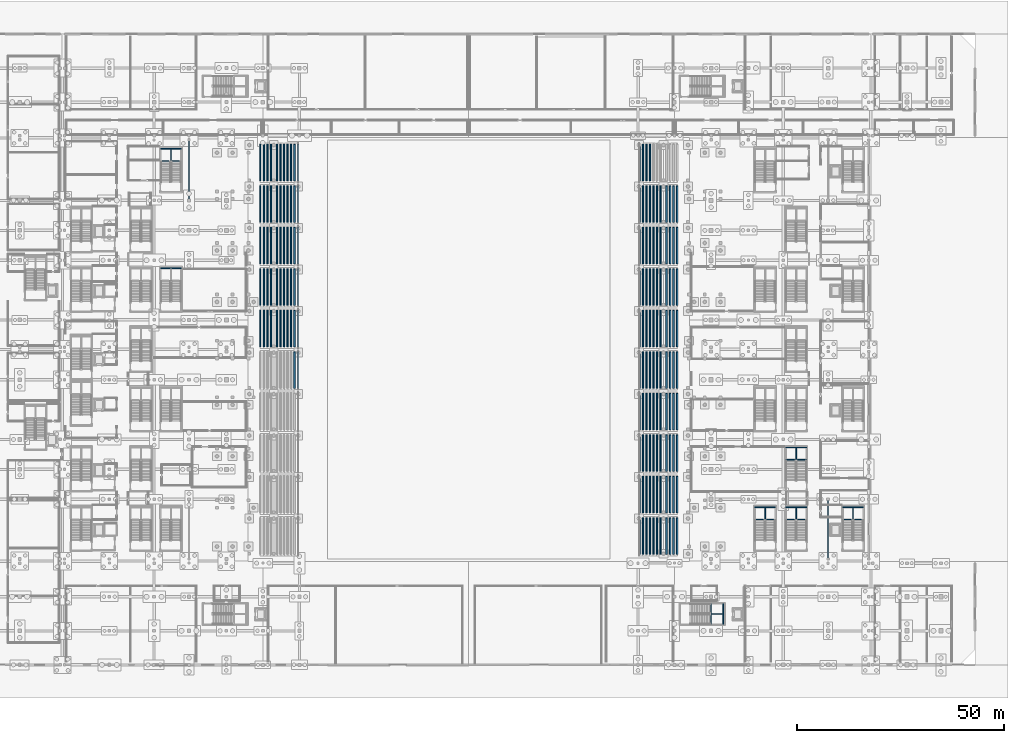
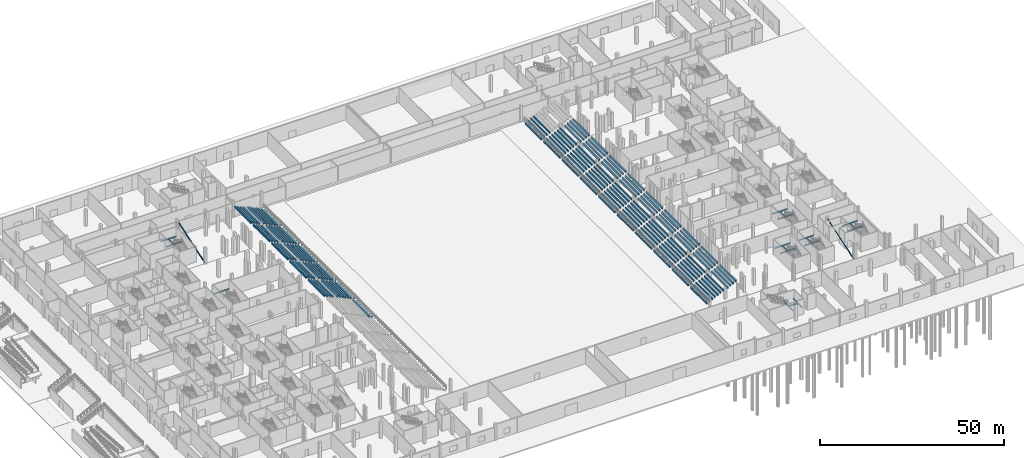
# One storey, part 21 of 89: 179 beams, 2 members.
"""IFC4 building model written with IfcOpenShell, lengths in metres."""

from ifc_helpers import new_model, si_unit, direction, frame, origin, origin_2d, place, context, subcontext, project, spatial, rectangle, hollow_circle, i_section, extrude, material, material_profile, profile_set, type_object, element, save


model = new_model("IFC4")

# Units and contexts
model_context = context("Model", 3, precision=1e-05, world=origin(), true_north=direction((0.0, 1.0)))
body_context = subcontext(model_context, "Body", "Model", "MODEL_VIEW")
ifc_project = project(units=[si_unit("LENGTHUNIT", "METRE"), si_unit("AREAUNIT", "SQUARE_METRE"), si_unit("VOLUMEUNIT", "CUBIC_METRE"), si_unit("PLANEANGLEUNIT", "RADIAN"), si_unit("MASSUNIT", "GRAM", prefix="KILO")], contexts=[model_context])

# Site, building, storey
site_placement = place(None, origin())
site = spatial("IfcSite", under=ifc_project, at=site_placement, CompositionType="ELEMENT")
building_placement = place(site_placement, origin())
building = spatial("IfcBuilding", under=site, at=building_placement, Name="Koshinbarg Plaza Stadium", CompositionType="ELEMENT")
storey_placement = place(building_placement, origin())
storey = spatial("IfcBuildingStorey", under=building, at=storey_placement, Name="L00", CompositionType="ELEMENT", Elevation=0.0)

# Beams
ifc_material_1 = material(Name="Concrete C40/50", Category="concrete")
ifc_material_profile_1 = material_profile(ifc_material_1, rectangle(XDim=0.35009765625, YDim=0.60009765625, at=origin_2d()), Name="RC 350x600")
ifc_profile_set_1 = profile_set([ifc_material_profile_1], Name="Concrete C40/50")
beam_type_1 = type_object("IfcBeamType", Name="BM-RCG-01", PredefinedType="SPANDREL", material=ifc_profile_set_1)
for number, where, z_axis, x_axis, name in (
    (1, (80.8798828125, 66.60009765625, 0.5), (0.0, 1.0, 0.0), (-1.0, 0.0, 0.0), "Lower tier seat bearer LT-W05-R01"),
    (2, (80.030029296875, 66.60009765625, 0.919921875), (0.0, 1.0, 0.0), (-1.0, 0.0, 0.0), "Lower tier seat bearer LT-W05-R02"),
    (3, (80.8798828125, 76.60009765625, 0.5), (0.0, 1.0, 0.0), (-1.0, 0.0, 0.0), "Lower tier seat bearer LT-W06-R01"),
    (4, (80.030029296875, 76.60009765625, 0.919921875), (0.0, 1.0, 0.0), (-1.0, 0.0, 0.0), "Lower tier seat bearer LT-W06-R02"),
    (5, (79.179931640625, 76.60009765625, 1.340087890625), (0.0, 1.0, 0.0), (-1.0, 0.0, 0.0), "Lower tier seat bearer LT-W06-R03"),
    (6, (78.330078125, 76.60009765625, 1.760009765625), (0.0, 1.0, 0.0), (-1.0, 0.0, 0.0), "Lower tier seat bearer LT-W06-R04"),
    (7, (77.47998046875, 76.60009765625, 2.179931640625), (0.0, 1.0, 0.0), (-1.0, 0.0, 0.0), "Lower tier seat bearer LT-W06-R05"),
    (8, (76.6298828125, 76.60009765625, 2.60009765625), (0.0, 1.0, 0.0), (-1.0, 0.0, 0.0), "Lower tier seat bearer LT-W06-R06"),
    (9, (75.780029296875, 76.60009765625, 3.02001953125), (0.0, 1.0, 0.0), (-1.0, 0.0, 0.0), "Lower tier seat bearer LT-W06-R07"),
    (10, (74.320068359375, 76.60009765625, 3.43994140625), (0.0, 1.0, 0.0), (-1.0, 0.0, 0.0), "Lower tier seat bearer LT-W06-R08"),
    (11, (73.469970703125, 76.60009765625, 3.860107421875), (0.0, 1.0, 0.0), (-1.0, 0.0, 0.0), "Lower tier seat bearer LT-W06-R09"),
    (12, (72.6201171875, 76.60009765625, 4.280029296875), (0.0, 1.0, 0.0), (-1.0, 0.0, 0.0), "Lower tier seat bearer LT-W06-R10"),
    (13, (71.77001953125, 76.60009765625, 4.699951171875), (0.0, 1.0, 0.0), (-1.0, 0.0, 0.0), "Lower tier seat bearer LT-W06-R11"),
    (14, (80.8798828125, 86.60009765625, 0.5), (0.0, 1.0, 0.0), (-1.0, 0.0, 0.0), "Lower tier seat bearer LT-W07-R01"),
    (15, (80.030029296875, 86.60009765625, 0.919921875), (0.0, 1.0, 0.0), (-1.0, 0.0, 0.0), "Lower tier seat bearer LT-W07-R02"),
    (16, (79.179931640625, 86.60009765625, 1.340087890625), (0.0, 1.0, 0.0), (-1.0, 0.0, 0.0), "Lower tier seat bearer LT-W07-R03"),
    (17, (78.330078125, 86.60009765625, 1.760009765625), (0.0, 1.0, 0.0), (-1.0, 0.0, 0.0), "Lower tier seat bearer LT-W07-R04"),
    (18, (77.47998046875, 86.60009765625, 2.179931640625), (0.0, 1.0, 0.0), (-1.0, 0.0, 0.0), "Lower tier seat bearer LT-W07-R05"),
    (19, (76.6298828125, 86.60009765625, 2.60009765625), (0.0, 1.0, 0.0), (-1.0, 0.0, 0.0), "Lower tier seat bearer LT-W07-R06"),
    (20, (75.780029296875, 86.60009765625, 3.02001953125), (0.0, 1.0, 0.0), (-1.0, 0.0, 0.0), "Lower tier seat bearer LT-W07-R07"),
    (21, (74.320068359375, 86.60009765625, 3.43994140625), (0.0, 1.0, 0.0), (-1.0, 0.0, 0.0), "Lower tier seat bearer LT-W07-R08"),
    (22, (73.469970703125, 86.60009765625, 3.860107421875), (0.0, 1.0, 0.0), (-1.0, 0.0, 0.0), "Lower tier seat bearer LT-W07-R09"),
    (23, (72.6201171875, 86.60009765625, 4.280029296875), (0.0, 1.0, 0.0), (-1.0, 0.0, 0.0), "Lower tier seat bearer LT-W07-R10"),
    (24, (71.77001953125, 86.60009765625, 4.699951171875), (0.0, 1.0, 0.0), (-1.0, 0.0, 0.0), "Lower tier seat bearer LT-W07-R11"),
    (25, (80.8798828125, 96.60009765625, 0.5), (0.0, 1.0, 0.0), (-1.0, 0.0, 0.0), "Lower tier seat bearer LT-W08-R01"),
    (26, (80.030029296875, 96.60009765625, 0.919921875), (0.0, 1.0, 0.0), (-1.0, 0.0, 0.0), "Lower tier seat bearer LT-W08-R02"),
    (27, (79.179931640625, 96.60009765625, 1.340087890625), (0.0, 1.0, 0.0), (-1.0, 0.0, 0.0), "Lower tier seat bearer LT-W08-R03"),
    (28, (78.330078125, 96.60009765625, 1.760009765625), (0.0, 1.0, 0.0), (-1.0, 0.0, 0.0), "Lower tier seat bearer LT-W08-R04"),
    (29, (77.47998046875, 96.60009765625, 2.179931640625), (0.0, 1.0, 0.0), (-1.0, 0.0, 0.0), "Lower tier seat bearer LT-W08-R05"),
    (30, (76.6298828125, 96.60009765625, 2.60009765625), (0.0, 1.0, 0.0), (-1.0, 0.0, 0.0), "Lower tier seat bearer LT-W08-R06"),
    (31, (75.780029296875, 96.60009765625, 3.02001953125), (0.0, 1.0, 0.0), (-1.0, 0.0, 0.0), "Lower tier seat bearer LT-W08-R07"),
    (32, (74.320068359375, 96.60009765625, 3.43994140625), (0.0, 1.0, 0.0), (-1.0, 0.0, 0.0), "Lower tier seat bearer LT-W08-R08"),
    (33, (73.469970703125, 96.60009765625, 3.860107421875), (0.0, 1.0, 0.0), (-1.0, 0.0, 0.0), "Lower tier seat bearer LT-W08-R09"),
    (34, (72.6201171875, 96.60009765625, 4.280029296875), (0.0, 1.0, 0.0), (-1.0, 0.0, 0.0), "Lower tier seat bearer LT-W08-R10"),
    (35, (71.77001953125, 96.60009765625, 4.699951171875), (0.0, 1.0, 0.0), (-1.0, 0.0, 0.0), "Lower tier seat bearer LT-W08-R11"),
    (36, (80.8798828125, 106.60009765625, 0.5), (0.0, 1.0, 0.0), (-1.0, 0.0, 0.0), "Lower tier seat bearer LT-W09-R01"),
    (37, (80.030029296875, 106.60009765625, 0.919921875), (0.0, 1.0, 0.0), (-1.0, 0.0, 0.0), "Lower tier seat bearer LT-W09-R02"),
    (38, (79.179931640625, 106.60009765625, 1.340087890625), (0.0, 1.0, 0.0), (-1.0, 0.0, 0.0), "Lower tier seat bearer LT-W09-R03"),
    (39, (78.330078125, 106.60009765625, 1.760009765625), (0.0, 1.0, 0.0), (-1.0, 0.0, 0.0), "Lower tier seat bearer LT-W09-R04"),
    (40, (77.47998046875, 106.60009765625, 2.179931640625), (0.0, 1.0, 0.0), (-1.0, 0.0, 0.0), "Lower tier seat bearer LT-W09-R05"),
    (41, (76.6298828125, 106.60009765625, 2.60009765625), (0.0, 1.0, 0.0), (-1.0, 0.0, 0.0), "Lower tier seat bearer LT-W09-R06"),
    (42, (75.780029296875, 106.60009765625, 3.02001953125), (0.0, 1.0, 0.0), (-1.0, 0.0, 0.0), "Lower tier seat bearer LT-W09-R07"),
    (43, (74.320068359375, 106.60009765625, 3.43994140625), (0.0, 1.0, 0.0), (-1.0, 0.0, 0.0), "Lower tier seat bearer LT-W09-R08"),
    (44, (73.469970703125, 106.60009765625, 3.860107421875), (0.0, 1.0, 0.0), (-1.0, 0.0, 0.0), "Lower tier seat bearer LT-W09-R09"),
    (45, (72.6201171875, 106.60009765625, 4.280029296875), (0.0, 1.0, 0.0), (-1.0, 0.0, 0.0), "Lower tier seat bearer LT-W09-R10"),
    (46, (71.77001953125, 106.60009765625, 4.699951171875), (0.0, 1.0, 0.0), (-1.0, 0.0, 0.0), "Lower tier seat bearer LT-W09-R11"),
    (47, (80.8798828125, 116.60009765625, 0.5), (0.0, 1.0, 0.0), (-1.0, 0.0, 0.0), "Lower tier seat bearer LT-W10-R01"),
    (48, (80.030029296875, 116.60009765625, 0.919921875), (0.0, 1.0, 0.0), (-1.0, 0.0, 0.0), "Lower tier seat bearer LT-W10-R02"),
    (49, (79.179931640625, 116.60009765625, 1.340087890625), (0.0, 1.0, 0.0), (-1.0, 0.0, 0.0), "Lower tier seat bearer LT-W10-R03"),
    (50, (78.330078125, 116.60009765625, 1.760009765625), (0.0, 1.0, 0.0), (-1.0, 0.0, 0.0), "Lower tier seat bearer LT-W10-R04"),
    (51, (77.47998046875, 116.60009765625, 2.179931640625), (0.0, 1.0, 0.0), (-1.0, 0.0, 0.0), "Lower tier seat bearer LT-W10-R05"),
    (52, (76.6298828125, 116.60009765625, 2.60009765625), (0.0, 1.0, 0.0), (-1.0, 0.0, 0.0), "Lower tier seat bearer LT-W10-R06"),
    (53, (75.780029296875, 116.60009765625, 3.02001953125), (0.0, 1.0, 0.0), (-1.0, 0.0, 0.0), "Lower tier seat bearer LT-W10-R07"),
    (54, (74.320068359375, 116.60009765625, 3.43994140625), (0.0, 1.0, 0.0), (-1.0, 0.0, 0.0), "Lower tier seat bearer LT-W10-R08"),
    (55, (73.469970703125, 116.60009765625, 3.860107421875), (0.0, 1.0, 0.0), (-1.0, 0.0, 0.0), "Lower tier seat bearer LT-W10-R09"),
    (56, (72.6201171875, 116.60009765625, 4.280029296875), (0.0, 1.0, 0.0), (-1.0, 0.0, 0.0), "Lower tier seat bearer LT-W10-R10"),
    (57, (71.77001953125, 116.60009765625, 4.699951171875), (0.0, 1.0, 0.0), (-1.0, 0.0, 0.0), "Lower tier seat bearer LT-W10-R11"),
    (58, (163.1201171875, 26.60009765625, 0.5), (0.0, 1.0, 0.0), (-1.0, 0.0, 0.0), "Lower tier seat bearer LT-E01-R01"),
    (59, (163.969970703125, 26.60009765625, 0.919921875), (0.0, 1.0, 0.0), (-1.0, 0.0, 0.0), "Lower tier seat bearer LT-E01-R02"),
    (60, (164.820068359375, 26.60009765625, 1.340087890625), (0.0, 1.0, 0.0), (-1.0, 0.0, 0.0), "Lower tier seat bearer LT-E01-R03"),
    (61, (165.669921875, 26.60009765625, 1.760009765625), (0.0, 1.0, 0.0), (-1.0, 0.0, 0.0), "Lower tier seat bearer LT-E01-R04"),
    (62, (166.52001953125, 26.60009765625, 2.179931640625), (0.0, 1.0, 0.0), (-1.0, 0.0, 0.0), "Lower tier seat bearer LT-E01-R05"),
    (63, (167.3701171875, 26.60009765625, 2.60009765625), (0.0, 1.0, 0.0), (-1.0, 0.0, 0.0), "Lower tier seat bearer LT-E01-R06"),
    (64, (168.219970703125, 26.60009765625, 3.02001953125), (0.0, 1.0, 0.0), (-1.0, 0.0, 0.0), "Lower tier seat bearer LT-E01-R07"),
    (65, (169.679931640625, 26.60009765625, 3.43994140625), (0.0, 1.0, 0.0), (-1.0, 0.0, 0.0), "Lower tier seat bearer LT-E01-R08"),
    (66, (170.530029296875, 26.60009765625, 3.860107421875), (0.0, 1.0, 0.0), (-1.0, 0.0, 0.0), "Lower tier seat bearer LT-E01-R09"),
    (67, (171.3798828125, 26.60009765625, 4.280029296875), (0.0, 1.0, 0.0), (-1.0, 0.0, 0.0), "Lower tier seat bearer LT-E01-R10"),
    (68, (172.22998046875, 26.60009765625, 4.699951171875), (0.0, 1.0, 0.0), (-1.0, 0.0, 0.0), "Lower tier seat bearer LT-E01-R11"),
    (69, (163.1201171875, 36.60009765625, 0.5), (0.0, 1.0, 0.0), (-1.0, 0.0, 0.0), "Lower tier seat bearer LT-E02-R01"),
    (70, (163.969970703125, 36.60009765625, 0.919921875), (0.0, 1.0, 0.0), (-1.0, 0.0, 0.0), "Lower tier seat bearer LT-E02-R02"),
    (71, (164.820068359375, 36.60009765625, 1.340087890625), (0.0, 1.0, 0.0), (-1.0, 0.0, 0.0), "Lower tier seat bearer LT-E02-R03"),
    (72, (165.669921875, 36.60009765625, 1.760009765625), (0.0, 1.0, 0.0), (-1.0, 0.0, 0.0), "Lower tier seat bearer LT-E02-R04"),
    (73, (166.52001953125, 36.60009765625, 2.179931640625), (0.0, 1.0, 0.0), (-1.0, 0.0, 0.0), "Lower tier seat bearer LT-E02-R05"),
    (74, (167.3701171875, 36.60009765625, 2.60009765625), (0.0, 1.0, 0.0), (-1.0, 0.0, 0.0), "Lower tier seat bearer LT-E02-R06"),
    (75, (168.219970703125, 36.60009765625, 3.02001953125), (0.0, 1.0, 0.0), (-1.0, 0.0, 0.0), "Lower tier seat bearer LT-E02-R07"),
    (76, (169.679931640625, 36.60009765625, 3.43994140625), (0.0, 1.0, 0.0), (-1.0, 0.0, 0.0), "Lower tier seat bearer LT-E02-R08"),
    (77, (170.530029296875, 36.60009765625, 3.860107421875), (0.0, 1.0, 0.0), (-1.0, 0.0, 0.0), "Lower tier seat bearer LT-E02-R09"),
    (78, (171.3798828125, 36.60009765625, 4.280029296875), (0.0, 1.0, 0.0), (-1.0, 0.0, 0.0), "Lower tier seat bearer LT-E02-R10"),
    (79, (172.22998046875, 36.60009765625, 4.699951171875), (0.0, 1.0, 0.0), (-1.0, 0.0, 0.0), "Lower tier seat bearer LT-E02-R11"),
    (80, (163.1201171875, 46.60009765625, 0.5), (0.0, 1.0, 0.0), (-1.0, 0.0, 0.0), "Lower tier seat bearer LT-E03-R01"),
    (81, (163.969970703125, 46.60009765625, 0.919921875), (0.0, 1.0, 0.0), (-1.0, 0.0, 0.0), "Lower tier seat bearer LT-E03-R02"),
    (82, (164.820068359375, 46.60009765625, 1.340087890625), (0.0, 1.0, 0.0), (-1.0, 0.0, 0.0), "Lower tier seat bearer LT-E03-R03"),
    (83, (165.669921875, 46.60009765625, 1.760009765625), (0.0, 1.0, 0.0), (-1.0, 0.0, 0.0), "Lower tier seat bearer LT-E03-R04"),
    (84, (166.52001953125, 46.60009765625, 2.179931640625), (0.0, 1.0, 0.0), (-1.0, 0.0, 0.0), "Lower tier seat bearer LT-E03-R05"),
    (85, (167.3701171875, 46.60009765625, 2.60009765625), (0.0, 1.0, 0.0), (-1.0, 0.0, 0.0), "Lower tier seat bearer LT-E03-R06"),
    (86, (168.219970703125, 46.60009765625, 3.02001953125), (0.0, 1.0, 0.0), (-1.0, 0.0, 0.0), "Lower tier seat bearer LT-E03-R07"),
    (87, (169.679931640625, 46.60009765625, 3.43994140625), (0.0, 1.0, 0.0), (-1.0, 0.0, 0.0), "Lower tier seat bearer LT-E03-R08"),
    (88, (170.530029296875, 46.60009765625, 3.860107421875), (0.0, 1.0, 0.0), (-1.0, 0.0, 0.0), "Lower tier seat bearer LT-E03-R09"),
    (89, (171.3798828125, 46.60009765625, 4.280029296875), (0.0, 1.0, 0.0), (-1.0, 0.0, 0.0), "Lower tier seat bearer LT-E03-R10"),
    (90, (172.22998046875, 46.60009765625, 4.699951171875), (0.0, 1.0, 0.0), (-1.0, 0.0, 0.0), "Lower tier seat bearer LT-E03-R11"),
    (91, (163.1201171875, 56.60009765625, 0.5), (0.0, 1.0, 0.0), (-1.0, 0.0, 0.0), "Lower tier seat bearer LT-E04-R01"),
    (92, (163.969970703125, 56.60009765625, 0.919921875), (0.0, 1.0, 0.0), (-1.0, 0.0, 0.0), "Lower tier seat bearer LT-E04-R02"),
    (93, (164.820068359375, 56.60009765625, 1.340087890625), (0.0, 1.0, 0.0), (-1.0, 0.0, 0.0), "Lower tier seat bearer LT-E04-R03"),
    (94, (165.669921875, 56.60009765625, 1.760009765625), (0.0, 1.0, 0.0), (-1.0, 0.0, 0.0), "Lower tier seat bearer LT-E04-R04"),
    (95, (166.52001953125, 56.60009765625, 2.179931640625), (0.0, 1.0, 0.0), (-1.0, 0.0, 0.0), "Lower tier seat bearer LT-E04-R05"),
    (96, (167.3701171875, 56.60009765625, 2.60009765625), (0.0, 1.0, 0.0), (-1.0, 0.0, 0.0), "Lower tier seat bearer LT-E04-R06"),
    (97, (168.219970703125, 56.60009765625, 3.02001953125), (0.0, 1.0, 0.0), (-1.0, 0.0, 0.0), "Lower tier seat bearer LT-E04-R07"),
    (98, (169.679931640625, 56.60009765625, 3.43994140625), (0.0, 1.0, 0.0), (-1.0, 0.0, 0.0), "Lower tier seat bearer LT-E04-R08"),
    (99, (170.530029296875, 56.60009765625, 3.860107421875), (0.0, 1.0, 0.0), (-1.0, 0.0, 0.0), "Lower tier seat bearer LT-E04-R09"),
    (100, (171.3798828125, 56.60009765625, 4.280029296875), (0.0, 1.0, 0.0), (-1.0, 0.0, 0.0), "Lower tier seat bearer LT-E04-R10"),
    (101, (172.22998046875, 56.60009765625, 4.699951171875), (0.0, 1.0, 0.0), (-1.0, 0.0, 0.0), "Lower tier seat bearer LT-E04-R11"),
    (102, (163.1201171875, 66.60009765625, 0.5), (0.0, 1.0, 0.0), (-1.0, 0.0, 0.0), "Lower tier seat bearer LT-E05-R01"),
    (103, (163.969970703125, 66.60009765625, 0.919921875), (0.0, 1.0, 0.0), (-1.0, 0.0, 0.0), "Lower tier seat bearer LT-E05-R02"),
    (104, (164.820068359375, 66.60009765625, 1.340087890625), (0.0, 1.0, 0.0), (-1.0, 0.0, 0.0), "Lower tier seat bearer LT-E05-R03"),
    (105, (165.669921875, 66.60009765625, 1.760009765625), (0.0, 1.0, 0.0), (-1.0, 0.0, 0.0), "Lower tier seat bearer LT-E05-R04"),
    (106, (166.52001953125, 66.60009765625, 2.179931640625), (0.0, 1.0, 0.0), (-1.0, 0.0, 0.0), "Lower tier seat bearer LT-E05-R05"),
    (107, (167.3701171875, 66.60009765625, 2.60009765625), (0.0, 1.0, 0.0), (-1.0, 0.0, 0.0), "Lower tier seat bearer LT-E05-R06"),
    (108, (168.219970703125, 66.60009765625, 3.02001953125), (0.0, 1.0, 0.0), (-1.0, 0.0, 0.0), "Lower tier seat bearer LT-E05-R07"),
    (109, (169.679931640625, 66.60009765625, 3.43994140625), (0.0, 1.0, 0.0), (-1.0, 0.0, 0.0), "Lower tier seat bearer LT-E05-R08"),
    (110, (170.530029296875, 66.60009765625, 3.860107421875), (0.0, 1.0, 0.0), (-1.0, 0.0, 0.0), "Lower tier seat bearer LT-E05-R09"),
    (111, (171.3798828125, 66.60009765625, 4.280029296875), (0.0, 1.0, 0.0), (-1.0, 0.0, 0.0), "Lower tier seat bearer LT-E05-R10"),
    (112, (172.22998046875, 66.60009765625, 4.699951171875), (0.0, 1.0, 0.0), (-1.0, 0.0, 0.0), "Lower tier seat bearer LT-E05-R11"),
    (113, (163.1201171875, 76.60009765625, 0.5), (0.0, 1.0, 0.0), (-1.0, 0.0, 0.0), "Lower tier seat bearer LT-E06-R01"),
    (114, (163.969970703125, 76.60009765625, 0.919921875), (0.0, 1.0, 0.0), (-1.0, 0.0, 0.0), "Lower tier seat bearer LT-E06-R02"),
    (115, (164.820068359375, 76.60009765625, 1.340087890625), (0.0, 1.0, 0.0), (-1.0, 0.0, 0.0), "Lower tier seat bearer LT-E06-R03"),
    (116, (165.669921875, 76.60009765625, 1.760009765625), (0.0, 1.0, 0.0), (-1.0, 0.0, 0.0), "Lower tier seat bearer LT-E06-R04"),
    (117, (166.52001953125, 76.60009765625, 2.179931640625), (0.0, 1.0, 0.0), (-1.0, 0.0, 0.0), "Lower tier seat bearer LT-E06-R05"),
    (118, (167.3701171875, 76.60009765625, 2.60009765625), (0.0, 1.0, 0.0), (-1.0, 0.0, 0.0), "Lower tier seat bearer LT-E06-R06"),
    (119, (168.219970703125, 76.60009765625, 3.02001953125), (0.0, 1.0, 0.0), (-1.0, 0.0, 0.0), "Lower tier seat bearer LT-E06-R07"),
    (120, (169.679931640625, 76.60009765625, 3.43994140625), (0.0, 1.0, 0.0), (-1.0, 0.0, 0.0), "Lower tier seat bearer LT-E06-R08"),
    (121, (170.530029296875, 76.60009765625, 3.860107421875), (0.0, 1.0, 0.0), (-1.0, 0.0, 0.0), "Lower tier seat bearer LT-E06-R09"),
    (122, (171.3798828125, 76.60009765625, 4.280029296875), (0.0, 1.0, 0.0), (-1.0, 0.0, 0.0), "Lower tier seat bearer LT-E06-R10"),
    (123, (172.22998046875, 76.60009765625, 4.699951171875), (0.0, 1.0, 0.0), (-1.0, 0.0, 0.0), "Lower tier seat bearer LT-E06-R11"),
    (124, (163.1201171875, 86.60009765625, 0.5), (0.0, 1.0, 0.0), (-1.0, 0.0, 0.0), "Lower tier seat bearer LT-E07-R01"),
    (125, (163.969970703125, 86.60009765625, 0.919921875), (0.0, 1.0, 0.0), (-1.0, 0.0, 0.0), "Lower tier seat bearer LT-E07-R02"),
    (126, (164.820068359375, 86.60009765625, 1.340087890625), (0.0, 1.0, 0.0), (-1.0, 0.0, 0.0), "Lower tier seat bearer LT-E07-R03"),
    (127, (165.669921875, 86.60009765625, 1.760009765625), (0.0, 1.0, 0.0), (-1.0, 0.0, 0.0), "Lower tier seat bearer LT-E07-R04"),
    (128, (166.52001953125, 86.60009765625, 2.179931640625), (0.0, 1.0, 0.0), (-1.0, 0.0, 0.0), "Lower tier seat bearer LT-E07-R05"),
    (129, (167.3701171875, 86.60009765625, 2.60009765625), (0.0, 1.0, 0.0), (-1.0, 0.0, 0.0), "Lower tier seat bearer LT-E07-R06"),
    (130, (168.219970703125, 86.60009765625, 3.02001953125), (0.0, 1.0, 0.0), (-1.0, 0.0, 0.0), "Lower tier seat bearer LT-E07-R07"),
    (131, (169.679931640625, 86.60009765625, 3.43994140625), (0.0, 1.0, 0.0), (-1.0, 0.0, 0.0), "Lower tier seat bearer LT-E07-R08"),
    (132, (170.530029296875, 86.60009765625, 3.860107421875), (0.0, 1.0, 0.0), (-1.0, 0.0, 0.0), "Lower tier seat bearer LT-E07-R09"),
    (133, (171.3798828125, 86.60009765625, 4.280029296875), (0.0, 1.0, 0.0), (-1.0, 0.0, 0.0), "Lower tier seat bearer LT-E07-R10"),
    (134, (172.22998046875, 86.60009765625, 4.699951171875), (0.0, 1.0, 0.0), (-1.0, 0.0, 0.0), "Lower tier seat bearer LT-E07-R11"),
    (135, (163.1201171875, 96.60009765625, 0.5), (0.0, 1.0, 0.0), (-1.0, 0.0, 0.0), "Lower tier seat bearer LT-E08-R01"),
    (136, (163.969970703125, 96.60009765625, 0.919921875), (0.0, 1.0, 0.0), (-1.0, 0.0, 0.0), "Lower tier seat bearer LT-E08-R02"),
    (137, (164.820068359375, 96.60009765625, 1.340087890625), (0.0, 1.0, 0.0), (-1.0, 0.0, 0.0), "Lower tier seat bearer LT-E08-R03"),
    (138, (165.669921875, 96.60009765625, 1.760009765625), (0.0, 1.0, 0.0), (-1.0, 0.0, 0.0), "Lower tier seat bearer LT-E08-R04"),
    (139, (166.52001953125, 96.60009765625, 2.179931640625), (0.0, 1.0, 0.0), (-1.0, 0.0, 0.0), "Lower tier seat bearer LT-E08-R05"),
    (140, (167.3701171875, 96.60009765625, 2.60009765625), (0.0, 1.0, 0.0), (-1.0, 0.0, 0.0), "Lower tier seat bearer LT-E08-R06"),
    (141, (168.219970703125, 96.60009765625, 3.02001953125), (0.0, 1.0, 0.0), (-1.0, 0.0, 0.0), "Lower tier seat bearer LT-E08-R07"),
    (142, (169.679931640625, 96.60009765625, 3.43994140625), (0.0, 1.0, 0.0), (-1.0, 0.0, 0.0), "Lower tier seat bearer LT-E08-R08"),
    (143, (170.530029296875, 96.60009765625, 3.860107421875), (0.0, 1.0, 0.0), (-1.0, 0.0, 0.0), "Lower tier seat bearer LT-E08-R09"),
    (144, (171.3798828125, 96.60009765625, 4.280029296875), (0.0, 1.0, 0.0), (-1.0, 0.0, 0.0), "Lower tier seat bearer LT-E08-R10"),
    (145, (172.22998046875, 96.60009765625, 4.699951171875), (0.0, 1.0, 0.0), (-1.0, 0.0, 0.0), "Lower tier seat bearer LT-E08-R11"),
    (146, (163.1201171875, 106.60009765625, 0.5), (0.0, 1.0, 0.0), (-1.0, 0.0, 0.0), "Lower tier seat bearer LT-E09-R01"),
    (147, (163.969970703125, 106.60009765625, 0.919921875), (0.0, 1.0, 0.0), (-1.0, 0.0, 0.0), "Lower tier seat bearer LT-E09-R02"),
    (148, (164.820068359375, 106.60009765625, 1.340087890625), (0.0, 1.0, 0.0), (-1.0, 0.0, 0.0), "Lower tier seat bearer LT-E09-R03"),
    (149, (165.669921875, 106.60009765625, 1.760009765625), (0.0, 1.0, 0.0), (-1.0, 0.0, 0.0), "Lower tier seat bearer LT-E09-R04"),
    (150, (166.52001953125, 106.60009765625, 2.179931640625), (0.0, 1.0, 0.0), (-1.0, 0.0, 0.0), "Lower tier seat bearer LT-E09-R05"),
    (151, (167.3701171875, 106.60009765625, 2.60009765625), (0.0, 1.0, 0.0), (-1.0, 0.0, 0.0), "Lower tier seat bearer LT-E09-R06"),
    (152, (168.219970703125, 106.60009765625, 3.02001953125), (0.0, 1.0, 0.0), (-1.0, 0.0, 0.0), "Lower tier seat bearer LT-E09-R07"),
    (153, (169.679931640625, 106.60009765625, 3.43994140625), (0.0, 1.0, 0.0), (-1.0, 0.0, 0.0), "Lower tier seat bearer LT-E09-R08"),
    (154, (170.530029296875, 106.60009765625, 3.860107421875), (0.0, 1.0, 0.0), (-1.0, 0.0, 0.0), "Lower tier seat bearer LT-E09-R09"),
    (155, (171.3798828125, 106.60009765625, 4.280029296875), (0.0, 1.0, 0.0), (-1.0, 0.0, 0.0), "Lower tier seat bearer LT-E09-R10"),
    (156, (172.22998046875, 106.60009765625, 4.699951171875), (0.0, 1.0, 0.0), (-1.0, 0.0, 0.0), "Lower tier seat bearer LT-E09-R11"),
    (157, (163.1201171875, 116.60009765625, 0.5), (0.0, 1.0, 0.0), (-1.0, 0.0, 0.0), "Lower tier seat bearer LT-E10-R01"),
    (158, (163.969970703125, 116.60009765625, 0.919921875), (0.0, 1.0, 0.0), (-1.0, 0.0, 0.0), "Lower tier seat bearer LT-E10-R02"),
    (159, (164.820068359375, 116.60009765625, 1.340087890625), (0.0, 1.0, 0.0), (-1.0, 0.0, 0.0), "Lower tier seat bearer LT-E10-R03"),
    (160, (165.669921875, 116.60009765625, 1.760009765625), (0.0, 1.0, 0.0), (-1.0, 0.0, 0.0), "Lower tier seat bearer LT-E10-R04"),
):
    element("IfcBeam", number, at=place(storey_placement, frame(where, z_axis=z_axis, x_axis=x_axis)), inside=storey, type_object=beam_type_1, Name=name, PredefinedType="SPANDREL", context=body_context, shape_type="SweptSolid", body=[
        extrude(rectangle(XDim=0.35009765625, YDim=0.60009765625, at=origin_2d()), origin(), (0.0, 0.0, 1.0), 8.7998046875),
    ])
ifc_material_2 = material(Name="Steel S355", Category="steel")
ifc_material_profile_2 = material_profile(ifc_material_2, i_section(OverallWidth=0.179931640625, OverallDepth=0.39990234375, WebThickness=0.008544921875, FlangeThickness=0.013427734375, at=origin_2d()), Name="IPE 400")
ifc_profile_set_2 = profile_set([ifc_material_profile_2], Name="Steel S355")
beam_type_2 = type_object("IfcBeamType", Name="BM-SBM-01", PredefinedType="BEAM", material=ifc_profile_set_2)
for number, where, z_axis, x_axis, name in (
    (161, (212.14990234375, 35.010009765625, 2.179931640625), (1.0, 0.0, 0.0), (0.0, 1.0, 0.0), "L00 Protected Exit Stair C07 landing trimmer beam 1"),
    (162, (212.14990234375, 37.949951171875, 2.179931640625), (1.0, 0.0, 0.0), (0.0, 1.0, 0.0), "L00 Protected Exit Stair C07 landing trimmer beam 2"),
):
    element("IfcBeam", number, at=place(storey_placement, frame(where, z_axis=z_axis, x_axis=x_axis)), inside=storey, type_object=beam_type_2, Name=name, PredefinedType="BEAM", context=body_context, shape_type="SweptSolid", body=[
        extrude(i_section(OverallWidth=0.179931640625, OverallDepth=0.39990234375, WebThickness=0.008544921875, FlangeThickness=0.013427734375, at=origin_2d()), origin(), (0.0, 0.0, 1.0), 4.97021484375),
    ])
beam_1_placement = place(storey_placement, frame((214.635009765625, 35.010009765625, 2.179931640625), z_axis=(0.0, 1.0, 0.0), x_axis=(-1.0, 0.0, 0.0)))
element("IfcBeam", 163, at=beam_1_placement, inside=storey, type_object=beam_type_2, Name="L00 Protected Exit Stair C07 landing trimmer beam 3", PredefinedType="BEAM", context=body_context, shape_type="SweptSolid", body=[
    extrude(i_section(OverallWidth=0.179931640625, OverallDepth=0.39990234375, WebThickness=0.008544921875, FlangeThickness=0.013427734375, at=origin_2d()), origin(), (0.0, 0.0, 1.0), 2.93994140625),
])
for number, where, z_axis, x_axis, name in (
    (164, (180.409912109375, 9.75, 2.179931640625), (0.0, 1.0, 0.0), (-1.0, 0.0, 0.0), "L00 Protected Exit Stair C14 landing trimmer beam 1"),
    (165, (183.35009765625, 9.75, 2.179931640625), (0.0, 1.0, 0.0), (-1.0, 0.0, 0.0), "L00 Protected Exit Stair C14 landing trimmer beam 2"),
):
    element("IfcBeam", number, at=place(storey_placement, frame(where, z_axis=z_axis, x_axis=x_axis)), inside=storey, type_object=beam_type_2, Name=name, PredefinedType="BEAM", context=body_context, shape_type="SweptSolid", body=[
        extrude(i_section(OverallWidth=0.179931640625, OverallDepth=0.39990234375, WebThickness=0.008544921875, FlangeThickness=0.013427734375, at=origin_2d()), origin(), (0.0, 0.0, 1.0), 4.969970703125),
    ])
beam_2_placement = place(storey_placement, frame((180.409912109375, 12.235107421875, 2.179931640625), z_axis=(1.0, 0.0, 0.0), x_axis=(0.0, 1.0, 0.0)))
element("IfcBeam", 166, at=beam_2_placement, inside=storey, type_object=beam_type_2, Name="L00 Protected Exit Stair C14 landing trimmer beam 3", PredefinedType="BEAM", context=body_context, shape_type="SweptSolid", body=[
    extrude(i_section(OverallWidth=0.179931640625, OverallDepth=0.39990234375, WebThickness=0.008544921875, FlangeThickness=0.013427734375, at=origin_2d()), origin(), (0.0, 0.0, 1.0), 2.940185546875),
])
for number, where, z_axis, x_axis, name in (
    (167, (198.449951171875, 35.010009765625, 2.179931640625), (1.0, 0.0, 0.0), (0.0, 1.0, 0.0), "L00 Upper Vomitory Stair VX07 landing trimmer beam 1"),
    (168, (198.449951171875, 37.949951171875, 2.179931640625), (1.0, 0.0, 0.0), (0.0, 1.0, 0.0), "L00 Upper Vomitory Stair VX07 landing trimmer beam 2"),
):
    element("IfcBeam", number, at=place(storey_placement, frame(where, z_axis=z_axis, x_axis=x_axis)), inside=storey, type_object=beam_type_2, Name=name, PredefinedType="BEAM", context=body_context, shape_type="SweptSolid", body=[
        extrude(i_section(OverallWidth=0.179931640625, OverallDepth=0.39990234375, WebThickness=0.008544921875, FlangeThickness=0.013427734375, at=origin_2d()), origin(), (0.0, 0.0, 1.0), 4.969970703125),
    ])
beam_3_placement = place(storey_placement, frame((200.93505859375, 35.010009765625, 2.179931640625), z_axis=(0.0, 1.0, 0.0), x_axis=(-1.0, 0.0, 0.0)))
element("IfcBeam", 169, at=beam_3_placement, inside=storey, type_object=beam_type_2, Name="L00 Upper Vomitory Stair VX07 landing trimmer beam 3", PredefinedType="BEAM", context=body_context, shape_type="SweptSolid", body=[
    extrude(i_section(OverallWidth=0.179931640625, OverallDepth=0.39990234375, WebThickness=0.008544921875, FlangeThickness=0.013427734375, at=origin_2d()), origin(), (0.0, 0.0, 1.0), 2.93994140625),
])
for number, where, z_axis, x_axis, name in (
    (170, (198.449951171875, 49.409912109375, 2.179931640625), (1.0, 0.0, 0.0), (0.0, 1.0, 0.0), "L00 Upper Vomitory Stair VX08 landing trimmer beam 1"),
    (171, (198.449951171875, 52.35009765625, 2.179931640625), (1.0, 0.0, 0.0), (0.0, 1.0, 0.0), "L00 Upper Vomitory Stair VX08 landing trimmer beam 2"),
):
    element("IfcBeam", number, at=place(storey_placement, frame(where, z_axis=z_axis, x_axis=x_axis)), inside=storey, type_object=beam_type_2, Name=name, PredefinedType="BEAM", context=body_context, shape_type="SweptSolid", body=[
        extrude(i_section(OverallWidth=0.179931640625, OverallDepth=0.39990234375, WebThickness=0.008544921875, FlangeThickness=0.013427734375, at=origin_2d()), origin(), (0.0, 0.0, 1.0), 4.969970703125),
    ])
beam_4_placement = place(storey_placement, frame((200.93505859375, 49.409912109375, 2.179931640625), z_axis=(0.0, 1.0, 0.0), x_axis=(-1.0, 0.0, 0.0)))
element("IfcBeam", 172, at=beam_4_placement, inside=storey, type_object=beam_type_2, Name="L00 Upper Vomitory Stair VX08 landing trimmer beam 3", PredefinedType="BEAM", context=body_context, shape_type="SweptSolid", body=[
    extrude(i_section(OverallWidth=0.179931640625, OverallDepth=0.39990234375, WebThickness=0.008544921875, FlangeThickness=0.013427734375, at=origin_2d()), origin(), (0.0, 0.0, 1.0), 2.940185546875),
])
for number, where, z_axis, x_axis, name in (
    (173, (47.75, 95.550048828125, 2.179931640625), (1.0, 0.0, 0.0), (0.0, 1.0, 0.0), "L00 Lower Vomitory Stair VL03 landing trimmer beam 2"),
    (174, (47.75, 121.409912109375, 2.179931640625), (1.0, 0.0, 0.0), (0.0, 1.0, 0.0), "L00 Lower Vomitory Stair VL04 landing trimmer beam 1"),
    (175, (47.75, 124.35009765625, 2.179931640625), (1.0, 0.0, 0.0), (0.0, 1.0, 0.0), "L00 Lower Vomitory Stair VL04 landing trimmer beam 2"),
):
    element("IfcBeam", number, at=place(storey_placement, frame(where, z_axis=z_axis, x_axis=x_axis)), inside=storey, type_object=beam_type_2, Name=name, PredefinedType="BEAM", context=body_context, shape_type="SweptSolid", body=[
        extrude(i_section(OverallWidth=0.179931640625, OverallDepth=0.39990234375, WebThickness=0.008544921875, FlangeThickness=0.013427734375, at=origin_2d()), origin(), (0.0, 0.0, 1.0), 4.969970703125),
    ])
beam_5_placement = place(storey_placement, frame((50.235107421875, 121.409912109375, 2.179931640625), z_axis=(0.0, 1.0, 0.0), x_axis=(-1.0, 0.0, 0.0)))
element("IfcBeam", 176, at=beam_5_placement, inside=storey, type_object=beam_type_2, Name="L00 Lower Vomitory Stair VL04 landing trimmer beam 3", PredefinedType="BEAM", context=body_context, shape_type="SweptSolid", body=[
    extrude(i_section(OverallWidth=0.179931640625, OverallDepth=0.39990234375, WebThickness=0.008544921875, FlangeThickness=0.013427734375, at=origin_2d()), origin(), (0.0, 0.0, 1.0), 2.940185546875),
])
for number, where, z_axis, x_axis, name in (
    (177, (190.949951171875, 35.010009765625, 2.179931640625), (1.0, 0.0, 0.0), (0.0, 1.0, 0.0), "L00 Lower Vomitory Stair VL05 landing trimmer beam 1"),
    (178, (190.949951171875, 37.949951171875, 2.179931640625), (1.0, 0.0, 0.0), (0.0, 1.0, 0.0), "L00 Lower Vomitory Stair VL05 landing trimmer beam 2"),
):
    element("IfcBeam", number, at=place(storey_placement, frame(where, z_axis=z_axis, x_axis=x_axis)), inside=storey, type_object=beam_type_2, Name=name, PredefinedType="BEAM", context=body_context, shape_type="SweptSolid", body=[
        extrude(i_section(OverallWidth=0.179931640625, OverallDepth=0.39990234375, WebThickness=0.008544921875, FlangeThickness=0.013427734375, at=origin_2d()), origin(), (0.0, 0.0, 1.0), 4.969970703125),
    ])
beam_6_placement = place(storey_placement, frame((193.43505859375, 35.010009765625, 2.179931640625), z_axis=(0.0, 1.0, 0.0), x_axis=(-1.0, 0.0, 0.0)))
element("IfcBeam", 179, at=beam_6_placement, inside=storey, type_object=beam_type_2, Name="L00 Lower Vomitory Stair VL05 landing trimmer beam 3", PredefinedType="BEAM", context=body_context, shape_type="SweptSolid", body=[
    extrude(i_section(OverallWidth=0.179931640625, OverallDepth=0.39990234375, WebThickness=0.008544921875, FlangeThickness=0.013427734375, at=origin_2d()), origin(), (0.0, 0.0, 1.0), 2.93994140625),
])

# Members
ifc_material_profile_3 = material_profile(ifc_material_2, hollow_circle(Radius=0.109619140625, WallThickness=0.010009765625, at=origin_2d()), Name="CHS 219.1x10")
ifc_profile_set_3 = profile_set([ifc_material_profile_3], Name="Steel S355")
member_type_1 = type_object("IfcMemberType", Name="MB-BRACE-03", PredefinedType="BRACE", material=ifc_profile_set_3)
member_1_placement = place(storey_placement, frame((54.60009765625, 111.97998046875, 0.050048828125), z_axis=(0.0, 0.949925413582, 0.312476732943), x_axis=(-1.0, 0.0, 0.0)))
element("IfcMember", 180, at=member_1_placement, inside=storey, type_object=member_type_1, Name="L00 lateral frame brace 2", PredefinedType="BRACE", context=body_context, shape_type="SweptSolid", body=[
    extrude(hollow_circle(Radius=0.109619140625, WallThickness=0.010009765625, at=origin_2d()), origin(), (0.0, 0.0, 1.0), 15.201171875),
])
ifc_material_profile_4 = material_profile(ifc_material_2, hollow_circle(Radius=0.084228515625, WallThickness=0.008056640625, at=origin_2d()), Name="CHS 168.3x8")
ifc_profile_set_4 = profile_set([ifc_material_profile_4], Name="Steel S355")
member_type_2 = type_object("IfcMemberType", Name="MB-BRACE-04", PredefinedType="BRACE", material=ifc_profile_set_4)
member_2_placement = place(storey_placement, frame((208.60009765625, 25.580078125, 0.050048828125), z_axis=(0.0, 0.948616595525, 0.316427803291), x_axis=(-1.0, 0.0, 0.0)))
element("IfcMember", 181, at=member_2_placement, inside=storey, type_object=member_type_2, Name="L00 lateral frame brace 3", PredefinedType="BRACE", context=body_context, shape_type="SweptSolid", body=[
    extrude(hollow_circle(Radius=0.084228515625, WallThickness=0.008056640625, at=origin_2d()), origin(), (0.0, 0.0, 1.0), 15.01123046875),
])

save(model, "model.ifc")
